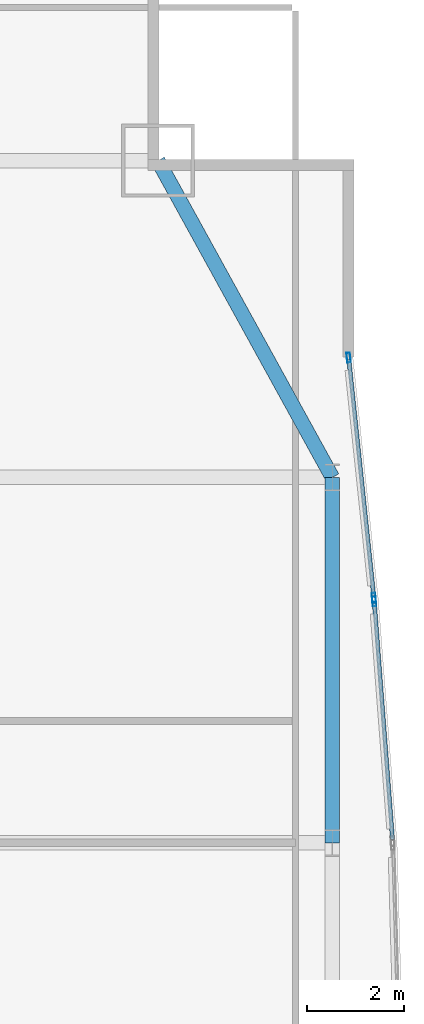
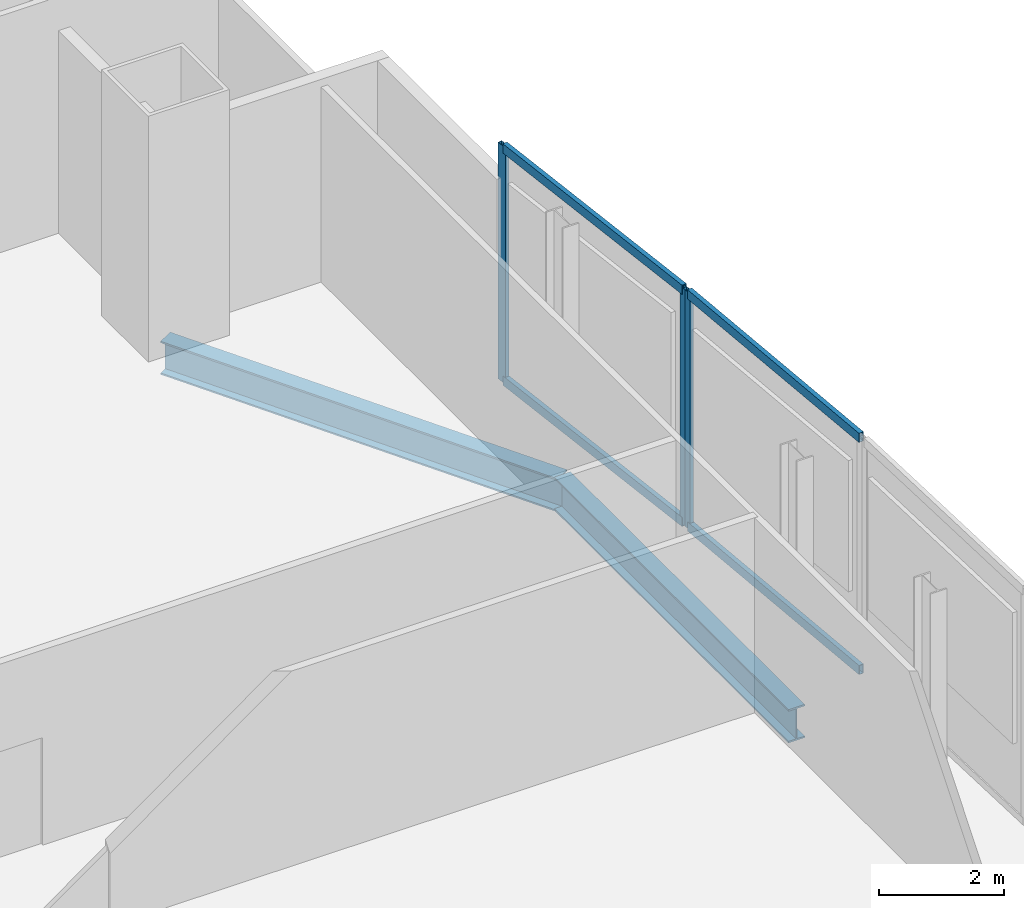
# One storey, part 23 of 32: 7 members, 2 beams, 2 elements without a shape of their own.
"""IFC4 building model written with IfcOpenShell, lengths in metres."""

import ifcopenshell
import ifcopenshell.guid

model = None  # the IFC model being written
_history = None  # IfcOwnerHistory: only IFC2X3 demands one
_inside = {}  # id of a spatial element -> (the spatial element, [elements in it])
_under = {}  # id of a project, library or spatial element -> (it, [spatial elements below it])
_declared = {}  # id of a project -> (the project, [libraries it declares])
_typed = {}  # id of a type object -> (the type object, [elements of that type])
_made_of = {}  # id of a material, layer set ... -> (it, [elements and type objects made of it])


def new_model(schema):
    """Start an empty IFC model of exactly this schema.

    Asked for "IFC4X3", IfcOpenShell would pick the latest addendum, in which some entities
    have other attributes; the version numbers below select the first issue.
    IFC2X3 requires an IfcOwnerHistory on every rooted entity: one is made here for all.
    """
    global model, _history
    if schema == "IFC4X3":
        model = ifcopenshell.file(schema_version=(4, 3, 0, 0))
    else:
        model = ifcopenshell.file(schema=schema)
    _inside.clear()
    _under.clear()
    _declared.clear()
    _typed.clear()
    _made_of.clear()
    _history = None
    if model.schema == "IFC2X3":
        org = make("IfcOrganization", Name="unknown")
        user = make(
            "IfcPersonAndOrganization",
            ThePerson=make("IfcPerson", FamilyName="unknown"),
            TheOrganization=org,
        )
        app = make(
            "IfcApplication",
            ApplicationDeveloper=org,
            Version="unknown",
            ApplicationFullName="unknown",
            ApplicationIdentifier="unknown",
        )
        _history = make(
            "IfcOwnerHistory",
            OwningUser=user,
            OwningApplication=app,
            ChangeAction="ADDED",
            CreationDate=0,
        )
    return model


def make(cls, **values):
    """One entity of the class cls with the attributes given. An attribute that is None is left unset."""
    return model.create_entity(
        cls, **{name: value for name, value in values.items() if value is not None}
    )


def rooted(cls, **values):
    """An entity with a GlobalId (a new one), such as an element, a storey or a relation."""
    return make(cls, GlobalId=ifcopenshell.guid.new(), OwnerHistory=_history, **values)


def si_unit(unit_type, name, prefix=None):
    """IfcSIUnit, for example si_unit("LENGTHUNIT", "METRE", prefix="MILLI")."""
    return make("IfcSIUnit", UnitType=unit_type, Prefix=prefix, Name=name)


def assignment(units):
    """IfcUnitAssignment: the units of a project."""
    return None if units is None else make("IfcUnitAssignment", Units=units)


def point(xyz):
    """IfcCartesianPoint."""
    return None if xyz is None else make("IfcCartesianPoint", Coordinates=xyz)


def direction(xyz):
    """IfcDirection."""
    return None if xyz is None else make("IfcDirection", DirectionRatios=xyz)


def frame(location, z_axis=None, x_axis=None):
    """IfcAxis2Placement3D, a coordinate frame: its origin and axes. An axis left out is left unset."""
    return make(
        "IfcAxis2Placement3D",
        Location=point(location),
        Axis=direction(z_axis),
        RefDirection=direction(x_axis),
    )


def frame_2d(location, x_axis=None):
    """IfcAxis2Placement2D, a coordinate frame in the plane: its origin and x axis."""
    return make(
        "IfcAxis2Placement2D", Location=point(location), RefDirection=direction(x_axis)
    )


def origin():
    """The frame at (0, 0, 0) with its axes left unset."""
    return frame((0.0, 0.0, 0.0))


def origin_2d():
    """The frame at (0, 0) in the plane with its x axis left unset."""
    return frame_2d((0.0, 0.0))


def place(relative_to, where):
    """IfcLocalPlacement: puts the frame where relative to a parent placement (None: the world)."""
    return make(
        "IfcLocalPlacement", PlacementRelTo=relative_to, RelativePlacement=where
    )


def context(
    kind, dimensions, precision=None, world=None, true_north=None, identifier=None
):
    """IfcGeometricRepresentationContext, for example the 3D "Model" context."""
    return make(
        "IfcGeometricRepresentationContext",
        ContextIdentifier=identifier,
        ContextType=kind,
        CoordinateSpaceDimension=dimensions,
        Precision=precision,
        WorldCoordinateSystem=world,
        TrueNorth=true_north,
    )


def subcontext(parent, identifier, kind, view, scale=None):
    """IfcGeometricRepresentationSubContext, for example "Body" below "Model"."""
    return make(
        "IfcGeometricRepresentationSubContext",
        ContextIdentifier=identifier,
        ContextType=kind,
        ParentContext=parent,
        TargetScale=scale,
        TargetView=view,
    )


def project(units=None, contexts=None):
    """IfcProject with its units and contexts."""
    return rooted(
        "IfcProject",
        Name="project",
        RepresentationContexts=contexts,
        UnitsInContext=assignment(units),
    )


def spatial(cls, under=None, at=None, **own):
    """A site, building, storey or space (cls), placed at a placement, below another one or the project."""
    s = rooted(cls, ObjectPlacement=at, **own)
    if under is not None:
        _under.setdefault(under.id(), (under, []))[1].append(s)
    return s


def profile(cls, at=None, kind="AREA", **sizes):
    """A parametric profile (cls). Its sizes go by their IFC names, for example OverallWidth=200.0."""
    return make(cls, ProfileType=kind, Position=at, **sizes)


def hollow_rectangle(**sizes):
    """IfcRectangleHollowProfileDef."""
    return profile("IfcRectangleHollowProfileDef", **sizes)


def i_section(**sizes):
    """IfcIShapeProfileDef."""
    return profile("IfcIShapeProfileDef", **sizes)


def extrude(swept, where, along, depth):
    """IfcExtrudedAreaSolid: the profile swept, set in the frame where, extruded along a direction by depth."""
    return make(
        "IfcExtrudedAreaSolid",
        SweptArea=swept,
        Position=where,
        ExtrudedDirection=direction(along),
        Depth=depth,
    )


def shape(context_of_items, identifier, shape_type, items):
    """IfcShapeRepresentation: the items that make up one representation, for example the "Body"."""
    return make(
        "IfcShapeRepresentation",
        ContextOfItems=context_of_items,
        RepresentationIdentifier=identifier,
        RepresentationType=shape_type,
        Items=items,
    )


def material(Name=None, Category=None):
    """IfcMaterial."""
    return make("IfcMaterial", Name=Name, Category=Category)


def material_profile(
    of_material, cross_section, Name=None, Category=None, Priority=None
):
    """IfcMaterialProfile: a cross section and its material."""
    return make(
        "IfcMaterialProfile",
        Name=Name,
        Material=of_material,
        Profile=cross_section,
        Priority=Priority,
        Category=Category,
    )


def profile_set(profiles, Name=None, composite=None):
    """IfcMaterialProfileSet."""
    return make(
        "IfcMaterialProfileSet",
        Name=Name,
        MaterialProfiles=profiles,
        CompositeProfile=composite,
    )


def made_of(thing, what):
    """Note that an element or type object is made of a material, layer set ...; save() writes the relation."""
    if what is not None:
        _made_of.setdefault(what.id(), (what, []))[1].append(thing)
    return thing


def type_object(cls, material=None, **own):
    """A type object (cls), such as IfcWallType, which elements share."""
    return made_of(rooted(cls, **own), material)


def element(
    cls,
    number,
    at=None,
    inside=None,
    cuts=None,
    type_object=None,
    material=None,
    context=None,
    identifier="Body",
    shape_type=None,
    held_by="IfcProductDefinitionShape",
    body=None,
    shapes=None,
    **own,
):
    """One element of the class cls, such as IfcWall. Its Tag is "e" and its number.

    at: its placement. inside: the storey or other place that contains it. cuts: it is an
    opening in that element (IfcRelVoidsElement). A single representation is given by context,
    identifier, shape_type and body (its items); several are given by shapes. held_by: the class
    of the entity that holds the representations. save() writes the other relations.
    """
    e = rooted(cls, Tag="e%d" % number, ObjectPlacement=at, **own)
    if body is not None:
        shapes = [shape(context, identifier, shape_type, body)]
    if shapes is not None:
        e.Representation = make(held_by, Representations=shapes)
    if inside is not None:
        _inside.setdefault(inside.id(), (inside, []))[1].append(e)
    if cuts is not None:
        rooted(
            "IfcRelVoidsElement", RelatingBuildingElement=cuts, RelatedOpeningElement=e
        )
    if type_object is not None:
        _typed.setdefault(type_object.id(), (type_object, []))[1].append(e)
    return made_of(e, material)


def aggregate(whole, parts):
    """IfcRelAggregates: a whole, such as a stair, and the parts it consists of."""
    return rooted("IfcRelAggregates", RelatingObject=whole, RelatedObjects=parts)


def save(model, path):
    """Write the relations noted so far, then the file.

    IfcRelAggregates (storeys below a building ...), IfcRelContainedInSpatialStructure (elements
    in a storey), IfcRelDefinesByType, IfcRelAssociatesMaterial and IfcRelDeclares: one each for
    every whole, place, type object, material and project.
    """
    for whole, parts in _under.values():
        aggregate(whole, parts)
    for where, things in _inside.values():
        rooted(
            "IfcRelContainedInSpatialStructure",
            RelatedElements=things,
            RelatingStructure=where,
        )
    for kind, things in _typed.values():
        rooted("IfcRelDefinesByType", RelatedObjects=things, RelatingType=kind)
    for what, things in _made_of.values():
        rooted("IfcRelAssociatesMaterial", RelatedObjects=things, RelatingMaterial=what)
    for by, libraries in _declared.values():
        rooted("IfcRelDeclares", RelatingContext=by, RelatedDefinitions=libraries)
    model.write(path)


model = new_model("IFC4")

# Units and contexts
model_context = context("Model", 3, precision=1e-05, world=origin(), true_north=direction((0.0, 1.0)))
body_context = subcontext(model_context, "Body", "Model", "MODEL_VIEW")
ifc_project = project(units=[si_unit("LENGTHUNIT", "METRE"), si_unit("AREAUNIT", "SQUARE_METRE"), si_unit("VOLUMEUNIT", "CUBIC_METRE"), si_unit("PLANEANGLEUNIT", "RADIAN"), si_unit("MASSUNIT", "GRAM", prefix="KILO")], contexts=[model_context])

# Site, building, storey
site_placement = place(None, origin())
site = spatial("IfcSite", under=ifc_project, at=site_placement, CompositionType="ELEMENT")
building_placement = place(site_placement, origin())
building = spatial("IfcBuilding", under=site, at=building_placement, Name="Khoronbel Lancet Exchange", CompositionType="ELEMENT")
storey_placement = place(building_placement, frame((0.0, 0.0, 85.800048828125)))
storey = spatial("IfcBuildingStorey", under=building, at=storey_placement, Name="L20", CompositionType="ELEMENT", Elevation=85.800048828125)

# Beams
ifc_material_1 = material(Name="Steel S355", Category="steel")
ifc_material_profile_1 = material_profile(ifc_material_1, i_section(OverallWidth=0.300048828125, OverallDepth=0.64990234375, WebThickness=0.01611328125, FlangeThickness=0.031005859375, at=origin_2d()), Name="HEB 650")
ifc_profile_set_1 = profile_set([ifc_material_profile_1], Name="Steel S355")
beam_type = type_object("IfcBeamType", Name="BM-BSP1", PredefinedType="SPANDREL", material=ifc_profile_set_1)
beam_1_placement = place(storey_placement, frame((69.6298828125, 35.699951171875, -0.545166015625), z_axis=(0.0, 1.0, 0.0), x_axis=(-1.0, 0.0, 0.0)))
element("IfcBeam", 1, at=beam_1_placement, inside=storey, type_object=beam_type, Name="Level L20 perimeter spandrel beam SP14", PredefinedType="SPANDREL", context=body_context, shape_type="SweptSolid", body=[
    extrude(i_section(OverallWidth=0.300048828125, OverallDepth=0.64990234375, WebThickness=0.01611328125, FlangeThickness=0.031005859375, at=origin_2d()), origin(), (0.0, 0.0, 1.0), 7.5),
])
beam_2_placement = place(storey_placement, frame((69.6298828125, 43.199951171875, -0.545166015625), z_axis=(-0.482418808117, 0.875940690672, 0.0), x_axis=(-0.875940690672, -0.482418808117, 0.0)))
element("IfcBeam", 2, at=beam_2_placement, inside=storey, type_object=beam_type, Name="Level L20 perimeter spandrel beam SP15", PredefinedType="SPANDREL", context=body_context, shape_type="SweptSolid", body=[
    extrude(i_section(OverallWidth=0.300048828125, OverallDepth=0.64990234375, WebThickness=0.01611328125, FlangeThickness=0.031005859375, at=origin_2d()), origin(), (0.0, 0.0, 1.0), 7.420654296875),
])

# Curtain wall, members
ifc_material_2 = material(Name="Low-E Solar Control Insulating Glass", Category="glass")
curtain_wall_type = type_object("IfcCurtainWallType", Name="CW-4", PredefinedType="NOTDEFINED", material=ifc_material_2)
curtain_wall_1_placement = place(storey_placement, origin())
curtain_wall_1 = element("IfcCurtainWall", 3, at=curtain_wall_1_placement, inside=storey, type_object=curtain_wall_type, Name="Unitised curtain wall CW-L20-E17", PredefinedType="NOTDEFINED")
ifc_material_3 = material(Name="Bronze-Anodised Aluminium 6063-T6", Category="aluminium")
ifc_material_profile_2 = material_profile(ifc_material_3, hollow_rectangle(XDim=0.074951171875, YDim=0.199951171875, WallThickness=0.0048828125, at=origin_2d()), Name="ALU MULLION 75x200")
ifc_profile_set_2 = profile_set([ifc_material_profile_2], Name="Bronze-Anodised Aluminium 6063-T6")
member_type_1 = type_object("IfcMemberType", Name="MEM-CWM2", PredefinedType="MULLION", material=ifc_profile_set_2)
member_1_placement = place(storey_placement, frame((69.9638671875, 45.657958984375, 0.0), z_axis=(0.0, 0.0, 1.0), x_axis=(0.994531779003, 0.104434383958, 0.0)))
member_1 = element("IfcMember", 4, at=member_1_placement, type_object=member_type_1, Name="CW4 mullion 1", PredefinedType="MULLION", context=body_context, shape_type="SweptSolid", body=[
    extrude(hollow_rectangle(XDim=0.074951171875, YDim=0.199951171875, WallThickness=0.0048828125, at=origin_2d()), origin(), (0.0, 0.0, 1.0), 4.619873046875),
])
member_2_placement = place(storey_placement, frame((70.4814453125, 40.729248046875, 0.0), z_axis=(0.0, 0.0, 1.0), x_axis=(0.994531779003, 0.104434383958, 0.0)))
member_2 = element("IfcMember", 5, at=member_2_placement, type_object=member_type_1, Name="CW4 mullion 2", PredefinedType="MULLION", context=body_context, shape_type="SweptSolid", body=[
    extrude(hollow_rectangle(XDim=0.074951171875, YDim=0.199951171875, WallThickness=0.0048828125, at=origin_2d()), origin(), (0.0, 0.0, 1.0), 4.619873046875),
])

# Curtain wall, member
curtain_wall_2_placement = place(storey_placement, origin())
curtain_wall_2 = element("IfcCurtainWall", 6, at=curtain_wall_2_placement, inside=storey, type_object=curtain_wall_type, Name="Unitised curtain wall CW-L20-E18", PredefinedType="NOTDEFINED")
member_3_placement = place(storey_placement, frame((70.48828125, 40.654541015625, 0.0), z_axis=(0.0, 0.0, 1.0), x_axis=(0.997059882555, 0.076626304874, 0.0)))
member_3 = element("IfcMember", 7, at=member_3_placement, type_object=member_type_1, Name="CW4 mullion 1", PredefinedType="MULLION", context=body_context, shape_type="SweptSolid", body=[
    extrude(hollow_rectangle(XDim=0.074951171875, YDim=0.199951171875, WallThickness=0.0048828125, at=origin_2d()), origin(), (0.0, 0.0, 1.0), 4.619873046875),
])

# Member
ifc_material_profile_3 = material_profile(ifc_material_3, hollow_rectangle(XDim=0.0849609375, YDim=0.179931640625, WallThickness=0.0048828125, at=origin_2d()), Name="ALU TRANSOM 85x180")
ifc_profile_set_3 = profile_set([ifc_material_profile_3], Name="Bronze-Anodised Aluminium 6063-T6")
member_type_2 = type_object("IfcMemberType", Name="MEM-CWT1", PredefinedType="USERDEFINED", material=ifc_profile_set_3)
member_4_placement = place(storey_placement, frame((69.9677734375, 45.62060546875, 0.04248046875), z_axis=(0.104445225696, -0.994530640468, 0.0), x_axis=(0.994530640468, 0.104445225696, 0.0)))
member_4 = element("IfcMember", 8, at=member_4_placement, type_object=member_type_2, Name="CW4 transom 1.1", ObjectType="TRANSOM", PredefinedType="USERDEFINED", context=body_context, shape_type="SweptSolid", body=[
    extrude(hollow_rectangle(XDim=0.0849609375, YDim=0.179931640625, WallThickness=0.0048828125, at=origin_2d()), origin(), (0.0, 0.0, 1.0), 4.880615234375),
])

member_5_placement = place(storey_placement, frame((69.9677734375, 45.62060546875, 4.577392578125), z_axis=(0.104445225696, -0.994530640468, 0.0), x_axis=(0.994530640468, 0.104445225696, 0.0)))
member_5 = element("IfcMember", 9, at=member_5_placement, type_object=member_type_2, Name="CW4 transom 1.2", ObjectType="TRANSOM", PredefinedType="USERDEFINED", context=body_context, shape_type="SweptSolid", body=[
    extrude(hollow_rectangle(XDim=0.0849609375, YDim=0.179931640625, WallThickness=0.0048828125, at=origin_2d()), origin(), (0.0, 0.0, 1.0), 4.880615234375),
])

aggregate(curtain_wall_1, [member_1, member_2, member_4, member_5])

member_6_placement = place(storey_placement, frame((70.4912109375, 40.6171875, 0.04248046875), z_axis=(0.076635053626, -0.997059210155, 0.0), x_axis=(0.997059210155, 0.076635053626, 0.0)))
member_6 = element("IfcMember", 10, at=member_6_placement, type_object=member_type_2, Name="CW4 transom 1.1", ObjectType="TRANSOM", PredefinedType="USERDEFINED", context=body_context, shape_type="SweptSolid", body=[
    extrude(hollow_rectangle(XDim=0.0849609375, YDim=0.179931640625, WallThickness=0.0048828125, at=origin_2d()), origin(), (0.0, 0.0, 1.0), 4.861572265625),
])

member_7_placement = place(storey_placement, frame((70.4912109375, 40.6171875, 4.577392578125), z_axis=(0.076635053626, -0.997059210155, 0.0), x_axis=(0.997059210155, 0.076635053626, 0.0)))
member_7 = element("IfcMember", 11, at=member_7_placement, type_object=member_type_2, Name="CW4 transom 1.2", ObjectType="TRANSOM", PredefinedType="USERDEFINED", context=body_context, shape_type="SweptSolid", body=[
    extrude(hollow_rectangle(XDim=0.0849609375, YDim=0.179931640625, WallThickness=0.0048828125, at=origin_2d()), origin(), (0.0, 0.0, 1.0), 4.861572265625),
])

aggregate(curtain_wall_2, [member_3, member_6, member_7])

save(model, "model.ifc")
